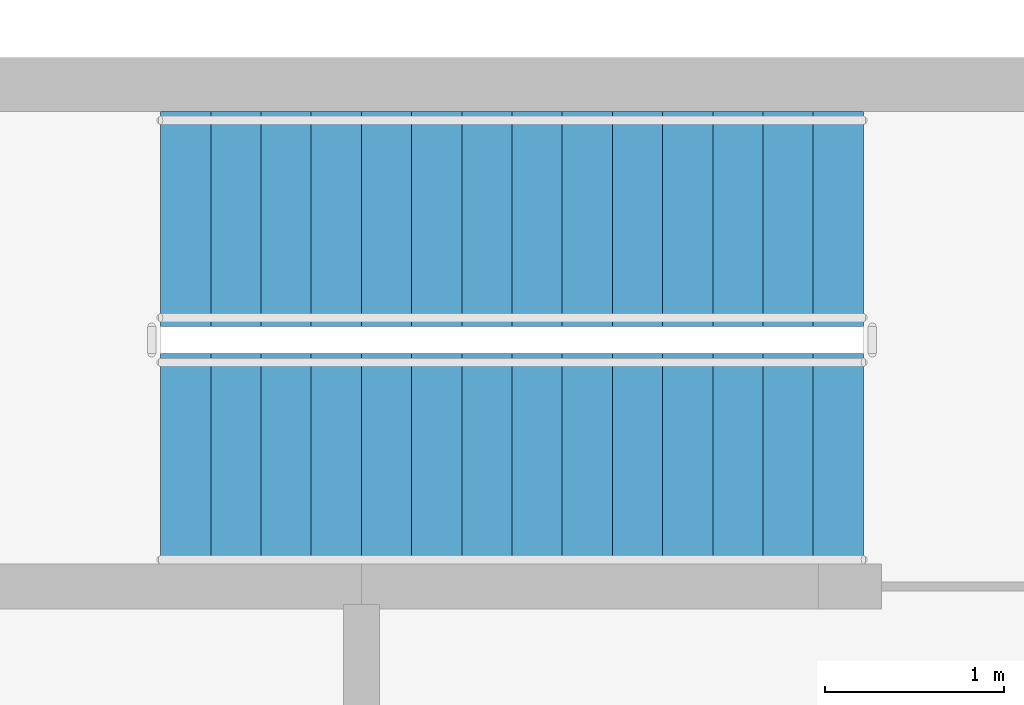
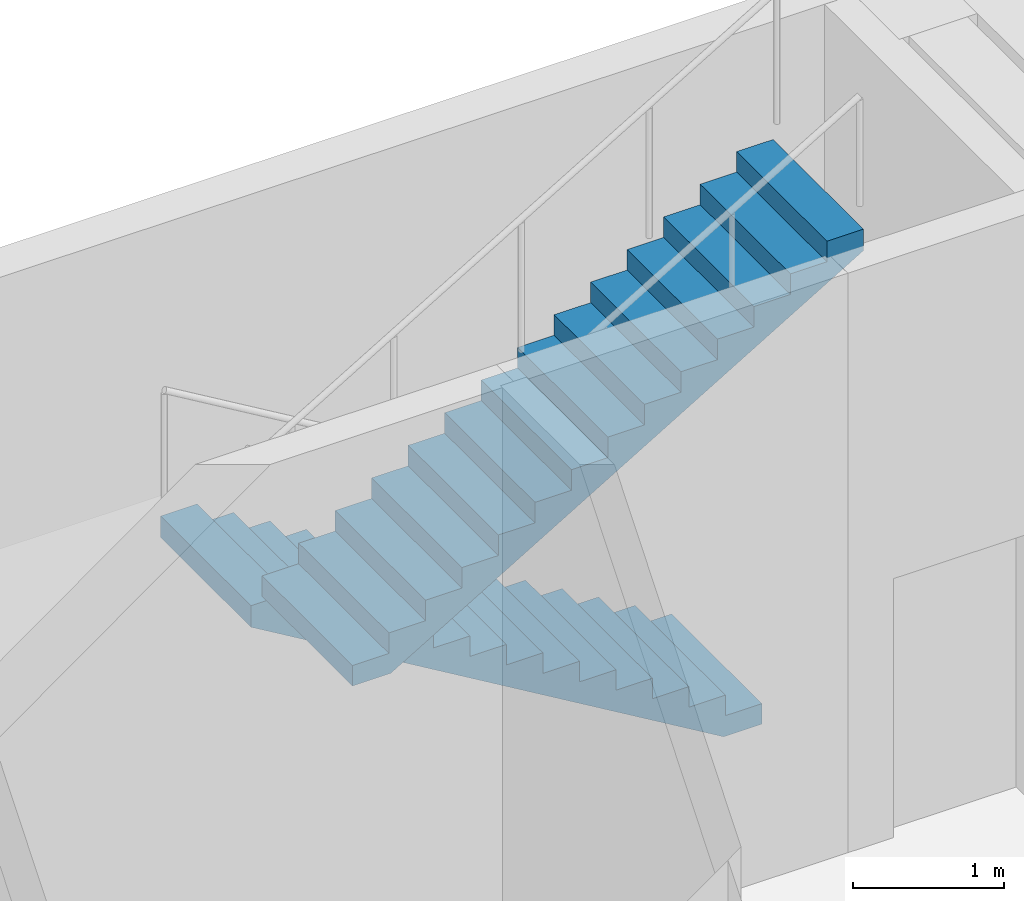
# One storey, part 19 of 25: 2 stair flights, 1 element without a shape of its own.
"""IFC4 building model written with IfcOpenShell, lengths in metres."""

from ifc_helpers import new_model, si_unit, direction, frame, origin, place, context, subcontext, project, spatial, polyline, outline, extrude, material, type_object, element, aggregate, save


model = new_model("IFC4")

# Units and contexts
model_context = context("Model", 3, precision=1e-05, world=origin(), true_north=direction((0.0, 1.0)))
body_context = subcontext(model_context, "Body", "Model", "MODEL_VIEW")
ifc_project = project(units=[si_unit("LENGTHUNIT", "METRE"), si_unit("AREAUNIT", "SQUARE_METRE"), si_unit("VOLUMEUNIT", "CUBIC_METRE"), si_unit("PLANEANGLEUNIT", "RADIAN"), si_unit("MASSUNIT", "GRAM", prefix="KILO")], contexts=[model_context])

# Site, building, storey
site_placement = place(None, origin())
site = spatial("IfcSite", under=ifc_project, at=site_placement, CompositionType="ELEMENT")
building_placement = place(site_placement, origin())
building = spatial("IfcBuilding", under=site, at=building_placement, Name="Girih Gate Residences", CompositionType="ELEMENT")
storey_placement = place(building_placement, frame((0.0, 0.0, 6.0)))
storey = spatial("IfcBuildingStorey", under=building, at=storey_placement, Name="L01", CompositionType="ELEMENT", Elevation=6.0)

# Stair, stair flights
ifc_material = material(Name="Concrete C40/50", Category="concrete")
stair_type = type_object("IfcStairType", Name="HC Stair", PredefinedType="HALF_TURN_STAIR", material=ifc_material)
stair_placement = place(storey_placement, origin())
stair = element("IfcStair", 1, at=stair_placement, inside=storey, type_object=stair_type, Name="L01 stair B", PredefinedType="HALF_TURN_STAIR")
stair_flight_type = type_object("IfcStairFlightType", Name="HC Stair flight", PredefinedType="STRAIGHT", material=ifc_material)
stair_flight_1_placement = place(storey_placement, frame((87.75, 44.10009765625, 0.0), z_axis=(0.0, 0.0, 1.0), x_axis=(-1.0, 0.0, 0.0)))
stair_flight_1 = element("IfcStairFlight", 2, at=stair_flight_1_placement, type_object=stair_flight_type, Name="HC-STB flight 1", NumberOfRisers=15, NumberOfTreads=14, PredefinedType="STRAIGHT", RiserHeight=0.166666667, TreadLength=0.28, context=body_context, shape_type="SweptSolid", body=[
    extrude(outline(polyline([(0.0, 0.0), (0.0, 0.166748046875), (0.280029296875, 0.166748046875), (0.280029296875, 0.333251953125), (0.56005859375, 0.333251953125), (0.56005859375, 0.5), (0.840087890625, 0.5), (0.840087890625, 0.666748046875), (1.1201171875, 0.666748046875), (1.1201171875, 0.833251953125), (1.39990234375, 0.833251953125), (1.39990234375, 1.0), (1.679931640625, 1.0), (1.679931640625, 1.166748046875), (1.9599609375, 1.166748046875), (1.9599609375, 1.333251953125), (2.239990234375, 1.333251953125), (2.239990234375, 1.5), (2.52001953125, 1.5), (2.52001953125, 1.666748046875), (2.800048828125, 1.666748046875), (2.800048828125, 1.833251953125), (3.080078125, 1.833251953125), (3.080078125, 2.0), (3.360107421875, 2.0), (3.360107421875, 2.166748046875), (3.639892578125, 2.166748046875), (3.639892578125, 2.333251953125), (3.919921875, 2.333251953125), (3.919921875, 2.5), (3.919921875, 2.158935546875), (0.29296875, 0.0), (0.0, 0.0)])), frame((0.0, 0.60009765625, 0.0), z_axis=(0.0, -1.0, 0.0), x_axis=(1.0, 0.0, 0.0)), (0.0, 0.0, 1.0), 1.199951171875),
])
stair_flight_2_placement = place(storey_placement, frame((83.830078125, 42.75, 2.5), z_axis=(0.0, 0.0, 1.0), x_axis=(1.0, 0.0, 0.0)))
stair_flight_2 = element("IfcStairFlight", 3, at=stair_flight_2_placement, type_object=stair_flight_type, Name="HC-STB flight 2", NumberOfRisers=15, NumberOfTreads=14, PredefinedType="STRAIGHT", RiserHeight=0.166666667, TreadLength=0.28, context=body_context, shape_type="SweptSolid", body=[
    extrude(outline(polyline([(0.0, 0.0), (0.0, 0.166748046875), (0.280029296875, 0.166748046875), (0.280029296875, 0.333251953125), (0.56005859375, 0.333251953125), (0.56005859375, 0.5), (0.840087890625, 0.5), (0.840087890625, 0.666748046875), (1.1201171875, 0.666748046875), (1.1201171875, 0.833251953125), (1.39990234375, 0.833251953125), (1.39990234375, 1.0), (1.679931640625, 1.0), (1.679931640625, 1.166748046875), (1.9599609375, 1.166748046875), (1.9599609375, 1.333251953125), (2.239990234375, 1.333251953125), (2.239990234375, 1.5), (2.52001953125, 1.5), (2.52001953125, 1.666748046875), (2.800048828125, 1.666748046875), (2.800048828125, 1.833251953125), (3.080078125, 1.833251953125), (3.080078125, 2.0), (3.360107421875, 2.0), (3.360107421875, 2.166748046875), (3.639892578125, 2.166748046875), (3.639892578125, 2.333251953125), (3.919921875, 2.333251953125), (3.919921875, 2.5), (3.919921875, 2.158935546875), (0.29296875, 0.0), (0.0, 0.0)])), frame((0.0, 0.60009765625, 0.0), z_axis=(0.0, -1.0, 0.0), x_axis=(1.0, 0.0, 0.0)), (0.0, 0.0, 1.0), 1.199951171875),
])
aggregate(stair, [stair_flight_1, stair_flight_2])

save(model, "model.ifc")
